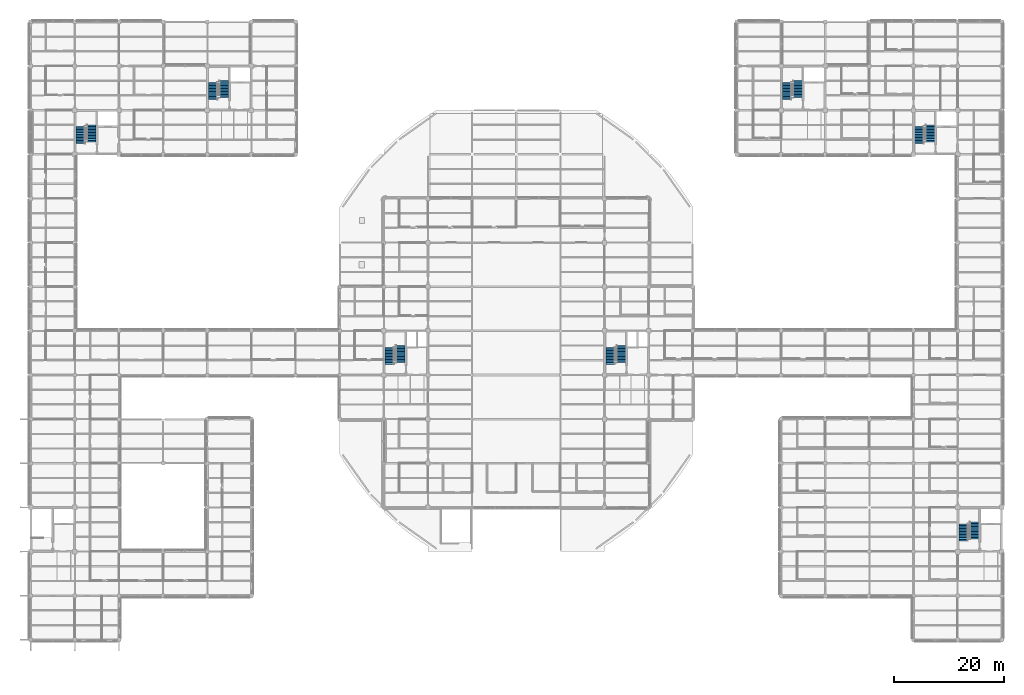
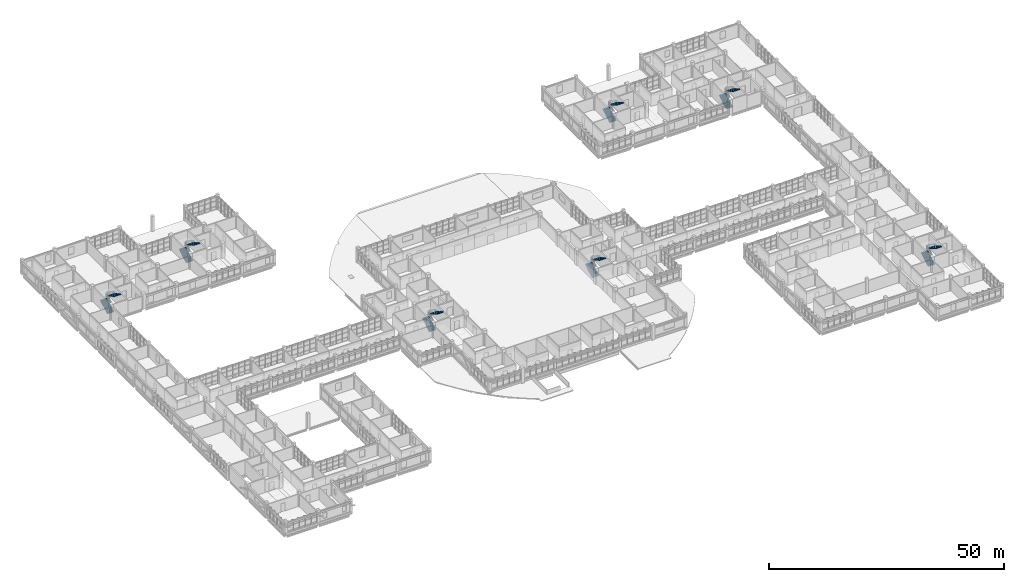
# One storey, part 105 of 126: 14 stair flights, 7 elements without a shape of their own.
"""IFC4 building model written with IfcOpenShell, lengths in metres."""

import ifcopenshell
import ifcopenshell.guid

model = None  # the IFC model being written
_history = None  # IfcOwnerHistory: only IFC2X3 demands one
_inside = {}  # id of a spatial element -> (the spatial element, [elements in it])
_under = {}  # id of a project, library or spatial element -> (it, [spatial elements below it])
_declared = {}  # id of a project -> (the project, [libraries it declares])
_typed = {}  # id of a type object -> (the type object, [elements of that type])
_made_of = {}  # id of a material, layer set ... -> (it, [elements and type objects made of it])


def new_model(schema):
    """Start an empty IFC model of exactly this schema.

    Asked for "IFC4X3", IfcOpenShell would pick the latest addendum, in which some entities
    have other attributes; the version numbers below select the first issue.
    IFC2X3 requires an IfcOwnerHistory on every rooted entity: one is made here for all.
    """
    global model, _history
    if schema == "IFC4X3":
        model = ifcopenshell.file(schema_version=(4, 3, 0, 0))
    else:
        model = ifcopenshell.file(schema=schema)
    _inside.clear()
    _under.clear()
    _declared.clear()
    _typed.clear()
    _made_of.clear()
    _history = None
    if model.schema == "IFC2X3":
        org = make("IfcOrganization", Name="unknown")
        user = make(
            "IfcPersonAndOrganization",
            ThePerson=make("IfcPerson", FamilyName="unknown"),
            TheOrganization=org,
        )
        app = make(
            "IfcApplication",
            ApplicationDeveloper=org,
            Version="unknown",
            ApplicationFullName="unknown",
            ApplicationIdentifier="unknown",
        )
        _history = make(
            "IfcOwnerHistory",
            OwningUser=user,
            OwningApplication=app,
            ChangeAction="ADDED",
            CreationDate=0,
        )
    return model


def make(cls, **values):
    """One entity of the class cls with the attributes given. An attribute that is None is left unset."""
    return model.create_entity(
        cls, **{name: value for name, value in values.items() if value is not None}
    )


def rooted(cls, **values):
    """An entity with a GlobalId (a new one), such as an element, a storey or a relation."""
    return make(cls, GlobalId=ifcopenshell.guid.new(), OwnerHistory=_history, **values)


def si_unit(unit_type, name, prefix=None):
    """IfcSIUnit, for example si_unit("LENGTHUNIT", "METRE", prefix="MILLI")."""
    return make("IfcSIUnit", UnitType=unit_type, Prefix=prefix, Name=name)


def derived_unit(unit_type, elements):
    """IfcDerivedUnit: a product of units, each with its exponent."""
    return make(
        "IfcDerivedUnit",
        Elements=[
            make("IfcDerivedUnitElement", Unit=unit, Exponent=power)
            for unit, power in elements
        ],
        UnitType=unit_type,
    )


def assignment(units):
    """IfcUnitAssignment: the units of a project."""
    return None if units is None else make("IfcUnitAssignment", Units=units)


def point(xyz):
    """IfcCartesianPoint."""
    return None if xyz is None else make("IfcCartesianPoint", Coordinates=xyz)


def direction(xyz):
    """IfcDirection."""
    return None if xyz is None else make("IfcDirection", DirectionRatios=xyz)


def frame(location, z_axis=None, x_axis=None):
    """IfcAxis2Placement3D, a coordinate frame: its origin and axes. An axis left out is left unset."""
    return make(
        "IfcAxis2Placement3D",
        Location=point(location),
        Axis=direction(z_axis),
        RefDirection=direction(x_axis),
    )


def origin():
    """The frame at (0, 0, 0) with its axes left unset."""
    return frame((0.0, 0.0, 0.0))


def place(relative_to, where):
    """IfcLocalPlacement: puts the frame where relative to a parent placement (None: the world)."""
    return make(
        "IfcLocalPlacement", PlacementRelTo=relative_to, RelativePlacement=where
    )


def context(
    kind, dimensions, precision=None, world=None, true_north=None, identifier=None
):
    """IfcGeometricRepresentationContext, for example the 3D "Model" context."""
    return make(
        "IfcGeometricRepresentationContext",
        ContextIdentifier=identifier,
        ContextType=kind,
        CoordinateSpaceDimension=dimensions,
        Precision=precision,
        WorldCoordinateSystem=world,
        TrueNorth=true_north,
    )


def subcontext(parent, identifier, kind, view, scale=None):
    """IfcGeometricRepresentationSubContext, for example "Body" below "Model"."""
    return make(
        "IfcGeometricRepresentationSubContext",
        ContextIdentifier=identifier,
        ContextType=kind,
        ParentContext=parent,
        TargetScale=scale,
        TargetView=view,
    )


def project(units=None, contexts=None):
    """IfcProject with its units and contexts."""
    return rooted(
        "IfcProject",
        Name="project",
        RepresentationContexts=contexts,
        UnitsInContext=assignment(units),
    )


def spatial(cls, under=None, at=None, **own):
    """A site, building, storey or space (cls), placed at a placement, below another one or the project."""
    s = rooted(cls, ObjectPlacement=at, **own)
    if under is not None:
        _under.setdefault(under.id(), (under, []))[1].append(s)
    return s


def polyline(points):
    """IfcPolyline through the points."""
    return make("IfcPolyline", Points=[point(p) for p in points])


def outline(outer, holes=None, kind="AREA"):
    """IfcArbitraryClosedProfileDef: a profile drawn as a closed curve; with holes, ...WithVoids."""
    if holes is None:
        return make("IfcArbitraryClosedProfileDef", ProfileType=kind, OuterCurve=outer)
    return make(
        "IfcArbitraryProfileDefWithVoids",
        ProfileType=kind,
        OuterCurve=outer,
        InnerCurves=holes,
    )


def extrude(swept, where, along, depth):
    """IfcExtrudedAreaSolid: the profile swept, set in the frame where, extruded along a direction by depth."""
    return make(
        "IfcExtrudedAreaSolid",
        SweptArea=swept,
        Position=where,
        ExtrudedDirection=direction(along),
        Depth=depth,
    )


def shape(context_of_items, identifier, shape_type, items):
    """IfcShapeRepresentation: the items that make up one representation, for example the "Body"."""
    return make(
        "IfcShapeRepresentation",
        ContextOfItems=context_of_items,
        RepresentationIdentifier=identifier,
        RepresentationType=shape_type,
        Items=items,
    )


def material(Name=None, Category=None):
    """IfcMaterial."""
    return make("IfcMaterial", Name=Name, Category=Category)


def made_of(thing, what):
    """Note that an element or type object is made of a material, layer set ...; save() writes the relation."""
    if what is not None:
        _made_of.setdefault(what.id(), (what, []))[1].append(thing)
    return thing


def type_object(cls, material=None, **own):
    """A type object (cls), such as IfcWallType, which elements share."""
    return made_of(rooted(cls, **own), material)


def element(
    cls,
    number,
    at=None,
    inside=None,
    cuts=None,
    type_object=None,
    material=None,
    context=None,
    identifier="Body",
    shape_type=None,
    held_by="IfcProductDefinitionShape",
    body=None,
    shapes=None,
    **own,
):
    """One element of the class cls, such as IfcWall. Its Tag is "e" and its number.

    at: its placement. inside: the storey or other place that contains it. cuts: it is an
    opening in that element (IfcRelVoidsElement). A single representation is given by context,
    identifier, shape_type and body (its items); several are given by shapes. held_by: the class
    of the entity that holds the representations. save() writes the other relations.
    """
    e = rooted(cls, Tag="e%d" % number, ObjectPlacement=at, **own)
    if body is not None:
        shapes = [shape(context, identifier, shape_type, body)]
    if shapes is not None:
        e.Representation = make(held_by, Representations=shapes)
    if inside is not None:
        _inside.setdefault(inside.id(), (inside, []))[1].append(e)
    if cuts is not None:
        rooted(
            "IfcRelVoidsElement", RelatingBuildingElement=cuts, RelatedOpeningElement=e
        )
    if type_object is not None:
        _typed.setdefault(type_object.id(), (type_object, []))[1].append(e)
    return made_of(e, material)


def aggregate(whole, parts):
    """IfcRelAggregates: a whole, such as a stair, and the parts it consists of."""
    return rooted("IfcRelAggregates", RelatingObject=whole, RelatedObjects=parts)


def save(model, path):
    """Write the relations noted so far, then the file.

    IfcRelAggregates (storeys below a building ...), IfcRelContainedInSpatialStructure (elements
    in a storey), IfcRelDefinesByType, IfcRelAssociatesMaterial and IfcRelDeclares: one each for
    every whole, place, type object, material and project.
    """
    for whole, parts in _under.values():
        aggregate(whole, parts)
    for where, things in _inside.values():
        rooted(
            "IfcRelContainedInSpatialStructure",
            RelatedElements=things,
            RelatingStructure=where,
        )
    for kind, things in _typed.values():
        rooted("IfcRelDefinesByType", RelatedObjects=things, RelatingType=kind)
    for what, things in _made_of.values():
        rooted("IfcRelAssociatesMaterial", RelatedObjects=things, RelatingMaterial=what)
    for by, libraries in _declared.values():
        rooted("IfcRelDeclares", RelatingContext=by, RelatedDefinitions=libraries)
    model.write(path)


model = new_model("IFC4")

# Units and contexts
model_context = context("Model", 3, precision=1e-05, world=origin(), true_north=direction((0.0, 1.0)))
body_context = subcontext(model_context, "Body", "Model", "MODEL_VIEW")
ifc_project = project(units=[si_unit("LENGTHUNIT", "METRE"), si_unit("AREAUNIT", "SQUARE_METRE"), si_unit("VOLUMEUNIT", "CUBIC_METRE"), si_unit("PLANEANGLEUNIT", "RADIAN"), si_unit("MASSUNIT", "GRAM", prefix="KILO"), derived_unit("THERMALTRANSMITTANCEUNIT", [(si_unit("MASSUNIT", "GRAM", prefix="KILO"), 1), (si_unit("TIMEUNIT", "SECOND"), -3), (si_unit("THERMODYNAMICTEMPERATUREUNIT", "KELVIN"), -1)])], contexts=[model_context])

# Site, building, storey
site_placement = place(None, origin())
site = spatial("IfcSite", under=ifc_project, at=site_placement, CompositionType="ELEMENT")
building_placement = place(site_placement, origin())
building = spatial("IfcBuilding", under=site, at=building_placement, Name="Veyamyaing Civic Hall", CompositionType="ELEMENT")
storey_placement = place(building_placement, frame((0.0, 0.0, 9.89990234375)))
storey = spatial("IfcBuildingStorey", under=building, at=storey_placement, Name="L02", CompositionType="ELEMENT", Elevation=9.89990234375)

# Stair, stair flights
ifc_material = material(Name="Concrete C40/50", Category="concrete")
stair_type = type_object("IfcStairType", Name="ST-D", PredefinedType="HALF_TURN_STAIR", material=ifc_material)
stair_1_placement = place(storey_placement, origin())
stair_1 = element("IfcStair", 1, at=stair_1_placement, inside=storey, type_object=stair_type, Name="Protected exit stair ST-01 L02", PredefinedType="HALF_TURN_STAIR")
stair_flight_type = type_object("IfcStairFlightType", Name="SF-12", PredefinedType="STRAIGHT", material=ifc_material)
stair_flight_1_placement = place(storey_placement, frame((9.0400390625, 89.949951171875, 0.0), z_axis=(0.0, 0.0, 1.0), x_axis=(0.0, 1.0, 0.0)))
stair_flight_1 = element("IfcStairFlight", 2, at=stair_flight_1_placement, type_object=stair_flight_type, Name="ST-01 flight 1", NumberOfRisers=12, NumberOfTreads=11, PredefinedType="STRAIGHT", RiserHeight=0.165, TreadLength=0.28, context=body_context, shape_type="SweptSolid", body=[
    extrude(outline(polyline([(0.0, 0.0), (0.0, 0.1650390625), (0.280029296875, 0.1650390625), (0.280029296875, 0.330078125), (0.56005859375, 0.330078125), (0.56005859375, 0.4951171875), (0.840087890625, 0.4951171875), (0.840087890625, 0.659912109375), (1.1201171875, 0.659912109375), (1.1201171875, 0.824951171875), (1.39990234375, 0.824951171875), (1.39990234375, 0.989990234375), (1.679931640625, 0.989990234375), (1.679931640625, 1.155029296875), (1.9599609375, 1.155029296875), (1.9599609375, 1.320068359375), (2.239990234375, 1.320068359375), (2.239990234375, 1.485107421875), (2.52001953125, 1.485107421875), (2.52001953125, 1.64990234375), (2.800048828125, 1.64990234375), (2.800048828125, 1.81494140625), (3.080078125, 1.81494140625), (3.080078125, 1.97998046875), (3.080078125, 1.64111328125), (0.295166015625, 0.0), (0.0, 0.0)])), frame((0.0, 0.81982421875, 0.0), z_axis=(0.0, -1.0, 0.0), x_axis=(1.0, 0.0, 0.0)), (0.0, 0.0, 1.0), 1.639892578125),
])
stair_flight_2_placement = place(storey_placement, frame((11.030029296875, 93.35009765625, 1.97998046875), z_axis=(0.0, 0.0, 1.0), x_axis=(0.0, -1.0, 0.0)))
stair_flight_2 = element("IfcStairFlight", 3, at=stair_flight_2_placement, type_object=stair_flight_type, Name="ST-01 flight 2", NumberOfRisers=12, NumberOfTreads=11, PredefinedType="STRAIGHT", RiserHeight=0.165, TreadLength=0.28, context=body_context, shape_type="SweptSolid", body=[
    extrude(outline(polyline([(0.0, 0.0), (0.0, 0.1650390625), (0.280029296875, 0.1650390625), (0.280029296875, 0.330078125), (0.56005859375, 0.330078125), (0.56005859375, 0.4951171875), (0.840087890625, 0.4951171875), (0.840087890625, 0.659912109375), (1.1201171875, 0.659912109375), (1.1201171875, 0.824951171875), (1.39990234375, 0.824951171875), (1.39990234375, 0.989990234375), (1.679931640625, 0.989990234375), (1.679931640625, 1.155029296875), (1.9599609375, 1.155029296875), (1.9599609375, 1.320068359375), (2.239990234375, 1.320068359375), (2.239990234375, 1.485107421875), (2.52001953125, 1.485107421875), (2.52001953125, 1.64990234375), (2.800048828125, 1.64990234375), (2.800048828125, 1.81494140625), (3.080078125, 1.81494140625), (3.080078125, 1.97998046875), (3.080078125, 1.64111328125), (0.295166015625, 0.0), (0.0, 0.0)])), frame((0.0, 0.81982421875, 0.0), z_axis=(0.0, -1.0, 0.0), x_axis=(1.0, 0.0, 0.0)), (0.0, 0.0, 1.0), 1.639892578125),
])
aggregate(stair_1, [stair_flight_1, stair_flight_2])

stair_2_placement = place(storey_placement, origin())
stair_2 = element("IfcStair", 4, at=stair_2_placement, inside=storey, type_object=stair_type, Name="Protected exit stair ST-02 L02", PredefinedType="HALF_TURN_STAIR")
stair_flight_3_placement = place(storey_placement, frame((33.0400390625, 97.949951171875, 0.0), z_axis=(0.0, 0.0, 1.0), x_axis=(0.0, 1.0, 0.0)))
stair_flight_3 = element("IfcStairFlight", 5, at=stair_flight_3_placement, type_object=stair_flight_type, Name="ST-02 flight 1", NumberOfRisers=12, NumberOfTreads=11, PredefinedType="STRAIGHT", RiserHeight=0.165, TreadLength=0.28, context=body_context, shape_type="SweptSolid", body=[
    extrude(outline(polyline([(0.0, 0.0), (0.0, 0.1650390625), (0.280029296875, 0.1650390625), (0.280029296875, 0.330078125), (0.56005859375, 0.330078125), (0.56005859375, 0.4951171875), (0.840087890625, 0.4951171875), (0.840087890625, 0.659912109375), (1.1201171875, 0.659912109375), (1.1201171875, 0.824951171875), (1.39990234375, 0.824951171875), (1.39990234375, 0.989990234375), (1.679931640625, 0.989990234375), (1.679931640625, 1.155029296875), (1.9599609375, 1.155029296875), (1.9599609375, 1.320068359375), (2.239990234375, 1.320068359375), (2.239990234375, 1.485107421875), (2.52001953125, 1.485107421875), (2.52001953125, 1.64990234375), (2.800048828125, 1.64990234375), (2.800048828125, 1.81494140625), (3.080078125, 1.81494140625), (3.080078125, 1.97998046875), (3.080078125, 1.64111328125), (0.295166015625, 0.0), (0.0, 0.0)])), frame((0.0, 0.81982421875, 0.0), z_axis=(0.0, -1.0, 0.0), x_axis=(1.0, 0.0, 0.0)), (0.0, 0.0, 1.0), 1.639892578125),
])
stair_flight_4_placement = place(storey_placement, frame((35.030029296875, 101.35009765625, 1.97998046875), z_axis=(0.0, 0.0, 1.0), x_axis=(0.0, -1.0, 0.0)))
stair_flight_4 = element("IfcStairFlight", 6, at=stair_flight_4_placement, type_object=stair_flight_type, Name="ST-02 flight 2", NumberOfRisers=12, NumberOfTreads=11, PredefinedType="STRAIGHT", RiserHeight=0.165, TreadLength=0.28, context=body_context, shape_type="SweptSolid", body=[
    extrude(outline(polyline([(0.0, 0.0), (0.0, 0.1650390625), (0.280029296875, 0.1650390625), (0.280029296875, 0.330078125), (0.56005859375, 0.330078125), (0.56005859375, 0.4951171875), (0.840087890625, 0.4951171875), (0.840087890625, 0.659912109375), (1.1201171875, 0.659912109375), (1.1201171875, 0.824951171875), (1.39990234375, 0.824951171875), (1.39990234375, 0.989990234375), (1.679931640625, 0.989990234375), (1.679931640625, 1.155029296875), (1.9599609375, 1.155029296875), (1.9599609375, 1.320068359375), (2.239990234375, 1.320068359375), (2.239990234375, 1.485107421875), (2.52001953125, 1.485107421875), (2.52001953125, 1.64990234375), (2.800048828125, 1.64990234375), (2.800048828125, 1.81494140625), (3.080078125, 1.81494140625), (3.080078125, 1.97998046875), (3.080078125, 1.64111328125), (0.295166015625, 0.0), (0.0, 0.0)])), frame((0.0, 0.81982421875, 0.0), z_axis=(0.0, -1.0, 0.0), x_axis=(1.0, 0.0, 0.0)), (0.0, 0.0, 1.0), 1.639892578125),
])
aggregate(stair_2, [stair_flight_3, stair_flight_4])

stair_3_placement = place(storey_placement, origin())
stair_3 = element("IfcStair", 7, at=stair_3_placement, inside=storey, type_object=stair_type, Name="Protected exit stair ST-03 L02", PredefinedType="HALF_TURN_STAIR")
stair_flight_5_placement = place(storey_placement, frame((161.0400390625, 89.949951171875, 0.0), z_axis=(0.0, 0.0, 1.0), x_axis=(0.0, 1.0, 0.0)))
stair_flight_5 = element("IfcStairFlight", 8, at=stair_flight_5_placement, type_object=stair_flight_type, Name="ST-03 flight 1", NumberOfRisers=12, NumberOfTreads=11, PredefinedType="STRAIGHT", RiserHeight=0.165, TreadLength=0.28, context=body_context, shape_type="SweptSolid", body=[
    extrude(outline(polyline([(0.0, 0.0), (0.0, 0.1650390625), (0.280029296875, 0.1650390625), (0.280029296875, 0.330078125), (0.56005859375, 0.330078125), (0.56005859375, 0.4951171875), (0.840087890625, 0.4951171875), (0.840087890625, 0.659912109375), (1.1201171875, 0.659912109375), (1.1201171875, 0.824951171875), (1.39990234375, 0.824951171875), (1.39990234375, 0.989990234375), (1.679931640625, 0.989990234375), (1.679931640625, 1.155029296875), (1.9599609375, 1.155029296875), (1.9599609375, 1.320068359375), (2.239990234375, 1.320068359375), (2.239990234375, 1.485107421875), (2.52001953125, 1.485107421875), (2.52001953125, 1.64990234375), (2.800048828125, 1.64990234375), (2.800048828125, 1.81494140625), (3.080078125, 1.81494140625), (3.080078125, 1.97998046875), (3.080078125, 1.64111328125), (0.295166015625, 0.0), (0.0, 0.0)])), frame((0.0, 0.81982421875, 0.0), z_axis=(0.0, -1.0, 0.0), x_axis=(1.0, 0.0, 0.0)), (0.0, 0.0, 1.0), 1.639892578125),
])
stair_flight_6_placement = place(storey_placement, frame((163.030029296875, 93.35009765625, 1.97998046875), z_axis=(0.0, 0.0, 1.0), x_axis=(0.0, -1.0, 0.0)))
stair_flight_6 = element("IfcStairFlight", 9, at=stair_flight_6_placement, type_object=stair_flight_type, Name="ST-03 flight 2", NumberOfRisers=12, NumberOfTreads=11, PredefinedType="STRAIGHT", RiserHeight=0.165, TreadLength=0.28, context=body_context, shape_type="SweptSolid", body=[
    extrude(outline(polyline([(0.0, 0.0), (0.0, 0.1650390625), (0.280029296875, 0.1650390625), (0.280029296875, 0.330078125), (0.56005859375, 0.330078125), (0.56005859375, 0.4951171875), (0.840087890625, 0.4951171875), (0.840087890625, 0.659912109375), (1.1201171875, 0.659912109375), (1.1201171875, 0.824951171875), (1.39990234375, 0.824951171875), (1.39990234375, 0.989990234375), (1.679931640625, 0.989990234375), (1.679931640625, 1.155029296875), (1.9599609375, 1.155029296875), (1.9599609375, 1.320068359375), (2.239990234375, 1.320068359375), (2.239990234375, 1.485107421875), (2.52001953125, 1.485107421875), (2.52001953125, 1.64990234375), (2.800048828125, 1.64990234375), (2.800048828125, 1.81494140625), (3.080078125, 1.81494140625), (3.080078125, 1.97998046875), (3.080078125, 1.64111328125), (0.295166015625, 0.0), (0.0, 0.0)])), frame((0.0, 0.81982421875, 0.0), z_axis=(0.0, -1.0, 0.0), x_axis=(1.0, 0.0, 0.0)), (0.0, 0.0, 1.0), 1.639892578125),
])
aggregate(stair_3, [stair_flight_5, stair_flight_6])

stair_4_placement = place(storey_placement, origin())
stair_4 = element("IfcStair", 10, at=stair_4_placement, inside=storey, type_object=stair_type, Name="Protected exit stair ST-04 L02", PredefinedType="HALF_TURN_STAIR")
stair_flight_7_placement = place(storey_placement, frame((137.0400390625, 97.949951171875, 0.0), z_axis=(0.0, 0.0, 1.0), x_axis=(0.0, 1.0, 0.0)))
stair_flight_7 = element("IfcStairFlight", 11, at=stair_flight_7_placement, type_object=stair_flight_type, Name="ST-04 flight 1", NumberOfRisers=12, NumberOfTreads=11, PredefinedType="STRAIGHT", RiserHeight=0.165, TreadLength=0.28, context=body_context, shape_type="SweptSolid", body=[
    extrude(outline(polyline([(0.0, 0.0), (0.0, 0.1650390625), (0.280029296875, 0.1650390625), (0.280029296875, 0.330078125), (0.56005859375, 0.330078125), (0.56005859375, 0.4951171875), (0.840087890625, 0.4951171875), (0.840087890625, 0.659912109375), (1.1201171875, 0.659912109375), (1.1201171875, 0.824951171875), (1.39990234375, 0.824951171875), (1.39990234375, 0.989990234375), (1.679931640625, 0.989990234375), (1.679931640625, 1.155029296875), (1.9599609375, 1.155029296875), (1.9599609375, 1.320068359375), (2.239990234375, 1.320068359375), (2.239990234375, 1.485107421875), (2.52001953125, 1.485107421875), (2.52001953125, 1.64990234375), (2.800048828125, 1.64990234375), (2.800048828125, 1.81494140625), (3.080078125, 1.81494140625), (3.080078125, 1.97998046875), (3.080078125, 1.64111328125), (0.295166015625, 0.0), (0.0, 0.0)])), frame((0.0, 0.81982421875, 0.0), z_axis=(0.0, -1.0, 0.0), x_axis=(1.0, 0.0, 0.0)), (0.0, 0.0, 1.0), 1.639892578125),
])
stair_flight_8_placement = place(storey_placement, frame((139.030029296875, 101.35009765625, 1.97998046875), z_axis=(0.0, 0.0, 1.0), x_axis=(0.0, -1.0, 0.0)))
stair_flight_8 = element("IfcStairFlight", 12, at=stair_flight_8_placement, type_object=stair_flight_type, Name="ST-04 flight 2", NumberOfRisers=12, NumberOfTreads=11, PredefinedType="STRAIGHT", RiserHeight=0.165, TreadLength=0.28, context=body_context, shape_type="SweptSolid", body=[
    extrude(outline(polyline([(0.0, 0.0), (0.0, 0.1650390625), (0.280029296875, 0.1650390625), (0.280029296875, 0.330078125), (0.56005859375, 0.330078125), (0.56005859375, 0.4951171875), (0.840087890625, 0.4951171875), (0.840087890625, 0.659912109375), (1.1201171875, 0.659912109375), (1.1201171875, 0.824951171875), (1.39990234375, 0.824951171875), (1.39990234375, 0.989990234375), (1.679931640625, 0.989990234375), (1.679931640625, 1.155029296875), (1.9599609375, 1.155029296875), (1.9599609375, 1.320068359375), (2.239990234375, 1.320068359375), (2.239990234375, 1.485107421875), (2.52001953125, 1.485107421875), (2.52001953125, 1.64990234375), (2.800048828125, 1.64990234375), (2.800048828125, 1.81494140625), (3.080078125, 1.81494140625), (3.080078125, 1.97998046875), (3.080078125, 1.64111328125), (0.295166015625, 0.0), (0.0, 0.0)])), frame((0.0, 0.81982421875, 0.0), z_axis=(0.0, -1.0, 0.0), x_axis=(1.0, 0.0, 0.0)), (0.0, 0.0, 1.0), 1.639892578125),
])
aggregate(stair_4, [stair_flight_7, stair_flight_8])

stair_5_placement = place(storey_placement, origin())
stair_5 = element("IfcStair", 13, at=stair_5_placement, inside=storey, type_object=stair_type, Name="Protected exit stair ST-05 L02", PredefinedType="HALF_TURN_STAIR")
stair_flight_9_placement = place(storey_placement, frame((65.0400390625, 49.949951171875, 0.0), z_axis=(0.0, 0.0, 1.0), x_axis=(0.0, 1.0, 0.0)))
stair_flight_9 = element("IfcStairFlight", 14, at=stair_flight_9_placement, type_object=stair_flight_type, Name="ST-05 flight 1", NumberOfRisers=12, NumberOfTreads=11, PredefinedType="STRAIGHT", RiserHeight=0.165, TreadLength=0.28, context=body_context, shape_type="SweptSolid", body=[
    extrude(outline(polyline([(0.0, 0.0), (0.0, 0.1650390625), (0.280029296875, 0.1650390625), (0.280029296875, 0.330078125), (0.56005859375, 0.330078125), (0.56005859375, 0.4951171875), (0.840087890625, 0.4951171875), (0.840087890625, 0.659912109375), (1.1201171875, 0.659912109375), (1.1201171875, 0.824951171875), (1.39990234375, 0.824951171875), (1.39990234375, 0.989990234375), (1.679931640625, 0.989990234375), (1.679931640625, 1.155029296875), (1.9599609375, 1.155029296875), (1.9599609375, 1.320068359375), (2.239990234375, 1.320068359375), (2.239990234375, 1.485107421875), (2.52001953125, 1.485107421875), (2.52001953125, 1.64990234375), (2.800048828125, 1.64990234375), (2.800048828125, 1.81494140625), (3.080078125, 1.81494140625), (3.080078125, 1.97998046875), (3.080078125, 1.64111328125), (0.295166015625, 0.0), (0.0, 0.0)])), frame((0.0, 0.81982421875, 0.0), z_axis=(0.0, -1.0, 0.0), x_axis=(1.0, 0.0, 0.0)), (0.0, 0.0, 1.0), 1.639892578125),
])
stair_flight_10_placement = place(storey_placement, frame((67.030029296875, 53.35009765625, 1.97998046875), z_axis=(0.0, 0.0, 1.0), x_axis=(0.0, -1.0, 0.0)))
stair_flight_10 = element("IfcStairFlight", 15, at=stair_flight_10_placement, type_object=stair_flight_type, Name="ST-05 flight 2", NumberOfRisers=12, NumberOfTreads=11, PredefinedType="STRAIGHT", RiserHeight=0.165, TreadLength=0.28, context=body_context, shape_type="SweptSolid", body=[
    extrude(outline(polyline([(0.0, 0.0), (0.0, 0.1650390625), (0.280029296875, 0.1650390625), (0.280029296875, 0.330078125), (0.56005859375, 0.330078125), (0.56005859375, 0.4951171875), (0.840087890625, 0.4951171875), (0.840087890625, 0.659912109375), (1.1201171875, 0.659912109375), (1.1201171875, 0.824951171875), (1.39990234375, 0.824951171875), (1.39990234375, 0.989990234375), (1.679931640625, 0.989990234375), (1.679931640625, 1.155029296875), (1.9599609375, 1.155029296875), (1.9599609375, 1.320068359375), (2.239990234375, 1.320068359375), (2.239990234375, 1.485107421875), (2.52001953125, 1.485107421875), (2.52001953125, 1.64990234375), (2.800048828125, 1.64990234375), (2.800048828125, 1.81494140625), (3.080078125, 1.81494140625), (3.080078125, 1.97998046875), (3.080078125, 1.64111328125), (0.295166015625, 0.0), (0.0, 0.0)])), frame((0.0, 0.81982421875, 0.0), z_axis=(0.0, -1.0, 0.0), x_axis=(1.0, 0.0, 0.0)), (0.0, 0.0, 1.0), 1.639892578125),
])
aggregate(stair_5, [stair_flight_9, stair_flight_10])

stair_6_placement = place(storey_placement, origin())
stair_6 = element("IfcStair", 16, at=stair_6_placement, inside=storey, type_object=stair_type, Name="Protected exit stair ST-06 L02", PredefinedType="HALF_TURN_STAIR")
stair_flight_11_placement = place(storey_placement, frame((105.0400390625, 49.949951171875, 0.0), z_axis=(0.0, 0.0, 1.0), x_axis=(0.0, 1.0, 0.0)))
stair_flight_11 = element("IfcStairFlight", 17, at=stair_flight_11_placement, type_object=stair_flight_type, Name="ST-06 flight 1", NumberOfRisers=12, NumberOfTreads=11, PredefinedType="STRAIGHT", RiserHeight=0.165, TreadLength=0.28, context=body_context, shape_type="SweptSolid", body=[
    extrude(outline(polyline([(0.0, 0.0), (0.0, 0.1650390625), (0.280029296875, 0.1650390625), (0.280029296875, 0.330078125), (0.56005859375, 0.330078125), (0.56005859375, 0.4951171875), (0.840087890625, 0.4951171875), (0.840087890625, 0.659912109375), (1.1201171875, 0.659912109375), (1.1201171875, 0.824951171875), (1.39990234375, 0.824951171875), (1.39990234375, 0.989990234375), (1.679931640625, 0.989990234375), (1.679931640625, 1.155029296875), (1.9599609375, 1.155029296875), (1.9599609375, 1.320068359375), (2.239990234375, 1.320068359375), (2.239990234375, 1.485107421875), (2.52001953125, 1.485107421875), (2.52001953125, 1.64990234375), (2.800048828125, 1.64990234375), (2.800048828125, 1.81494140625), (3.080078125, 1.81494140625), (3.080078125, 1.97998046875), (3.080078125, 1.64111328125), (0.295166015625, 0.0), (0.0, 0.0)])), frame((0.0, 0.81982421875, 0.0), z_axis=(0.0, -1.0, 0.0), x_axis=(1.0, 0.0, 0.0)), (0.0, 0.0, 1.0), 1.639892578125),
])
stair_flight_12_placement = place(storey_placement, frame((107.030029296875, 53.35009765625, 1.97998046875), z_axis=(0.0, 0.0, 1.0), x_axis=(0.0, -1.0, 0.0)))
stair_flight_12 = element("IfcStairFlight", 18, at=stair_flight_12_placement, type_object=stair_flight_type, Name="ST-06 flight 2", NumberOfRisers=12, NumberOfTreads=11, PredefinedType="STRAIGHT", RiserHeight=0.165, TreadLength=0.28, context=body_context, shape_type="SweptSolid", body=[
    extrude(outline(polyline([(0.0, 0.0), (0.0, 0.1650390625), (0.280029296875, 0.1650390625), (0.280029296875, 0.330078125), (0.56005859375, 0.330078125), (0.56005859375, 0.4951171875), (0.840087890625, 0.4951171875), (0.840087890625, 0.659912109375), (1.1201171875, 0.659912109375), (1.1201171875, 0.824951171875), (1.39990234375, 0.824951171875), (1.39990234375, 0.989990234375), (1.679931640625, 0.989990234375), (1.679931640625, 1.155029296875), (1.9599609375, 1.155029296875), (1.9599609375, 1.320068359375), (2.239990234375, 1.320068359375), (2.239990234375, 1.485107421875), (2.52001953125, 1.485107421875), (2.52001953125, 1.64990234375), (2.800048828125, 1.64990234375), (2.800048828125, 1.81494140625), (3.080078125, 1.81494140625), (3.080078125, 1.97998046875), (3.080078125, 1.64111328125), (0.295166015625, 0.0), (0.0, 0.0)])), frame((0.0, 0.81982421875, 0.0), z_axis=(0.0, -1.0, 0.0), x_axis=(1.0, 0.0, 0.0)), (0.0, 0.0, 1.0), 1.639892578125),
])
aggregate(stair_6, [stair_flight_11, stair_flight_12])

stair_7_placement = place(storey_placement, origin())
stair_7 = element("IfcStair", 19, at=stair_7_placement, inside=storey, type_object=stair_type, Name="Protected exit stair ST-10 L02", PredefinedType="HALF_TURN_STAIR")
stair_flight_13_placement = place(storey_placement, frame((169.0400390625, 17.949951171875, 0.0), z_axis=(0.0, 0.0, 1.0), x_axis=(0.0, 1.0, 0.0)))
stair_flight_13 = element("IfcStairFlight", 20, at=stair_flight_13_placement, type_object=stair_flight_type, Name="ST-10 flight 1", NumberOfRisers=12, NumberOfTreads=11, PredefinedType="STRAIGHT", RiserHeight=0.165, TreadLength=0.28, context=body_context, shape_type="SweptSolid", body=[
    extrude(outline(polyline([(0.0, 0.0), (0.0, 0.1650390625), (0.280029296875, 0.1650390625), (0.280029296875, 0.330078125), (0.56005859375, 0.330078125), (0.56005859375, 0.4951171875), (0.840087890625, 0.4951171875), (0.840087890625, 0.659912109375), (1.1201171875, 0.659912109375), (1.1201171875, 0.824951171875), (1.39990234375, 0.824951171875), (1.39990234375, 0.989990234375), (1.679931640625, 0.989990234375), (1.679931640625, 1.155029296875), (1.9599609375, 1.155029296875), (1.9599609375, 1.320068359375), (2.239990234375, 1.320068359375), (2.239990234375, 1.485107421875), (2.52001953125, 1.485107421875), (2.52001953125, 1.64990234375), (2.800048828125, 1.64990234375), (2.800048828125, 1.81494140625), (3.080078125, 1.81494140625), (3.080078125, 1.97998046875), (3.080078125, 1.64111328125), (0.295166015625, 0.0), (0.0, 0.0)])), frame((0.0, 0.81982421875, 0.0), z_axis=(0.0, -1.0, 0.0), x_axis=(1.0, 0.0, 0.0)), (0.0, 0.0, 1.0), 1.639892578125),
])
stair_flight_14_placement = place(storey_placement, frame((171.030029296875, 21.35009765625, 1.97998046875), z_axis=(0.0, 0.0, 1.0), x_axis=(0.0, -1.0, 0.0)))
stair_flight_14 = element("IfcStairFlight", 21, at=stair_flight_14_placement, type_object=stair_flight_type, Name="ST-10 flight 2", NumberOfRisers=12, NumberOfTreads=11, PredefinedType="STRAIGHT", RiserHeight=0.165, TreadLength=0.28, context=body_context, shape_type="SweptSolid", body=[
    extrude(outline(polyline([(0.0, 0.0), (0.0, 0.1650390625), (0.280029296875, 0.1650390625), (0.280029296875, 0.330078125), (0.56005859375, 0.330078125), (0.56005859375, 0.4951171875), (0.840087890625, 0.4951171875), (0.840087890625, 0.659912109375), (1.1201171875, 0.659912109375), (1.1201171875, 0.824951171875), (1.39990234375, 0.824951171875), (1.39990234375, 0.989990234375), (1.679931640625, 0.989990234375), (1.679931640625, 1.155029296875), (1.9599609375, 1.155029296875), (1.9599609375, 1.320068359375), (2.239990234375, 1.320068359375), (2.239990234375, 1.485107421875), (2.52001953125, 1.485107421875), (2.52001953125, 1.64990234375), (2.800048828125, 1.64990234375), (2.800048828125, 1.81494140625), (3.080078125, 1.81494140625), (3.080078125, 1.97998046875), (3.080078125, 1.64111328125), (0.295166015625, 0.0), (0.0, 0.0)])), frame((0.0, 0.81982421875, 0.0), z_axis=(0.0, -1.0, 0.0), x_axis=(1.0, 0.0, 0.0)), (0.0, 0.0, 1.0), 1.639892578125),
])
aggregate(stair_7, [stair_flight_13, stair_flight_14])

save(model, "model.ifc")
